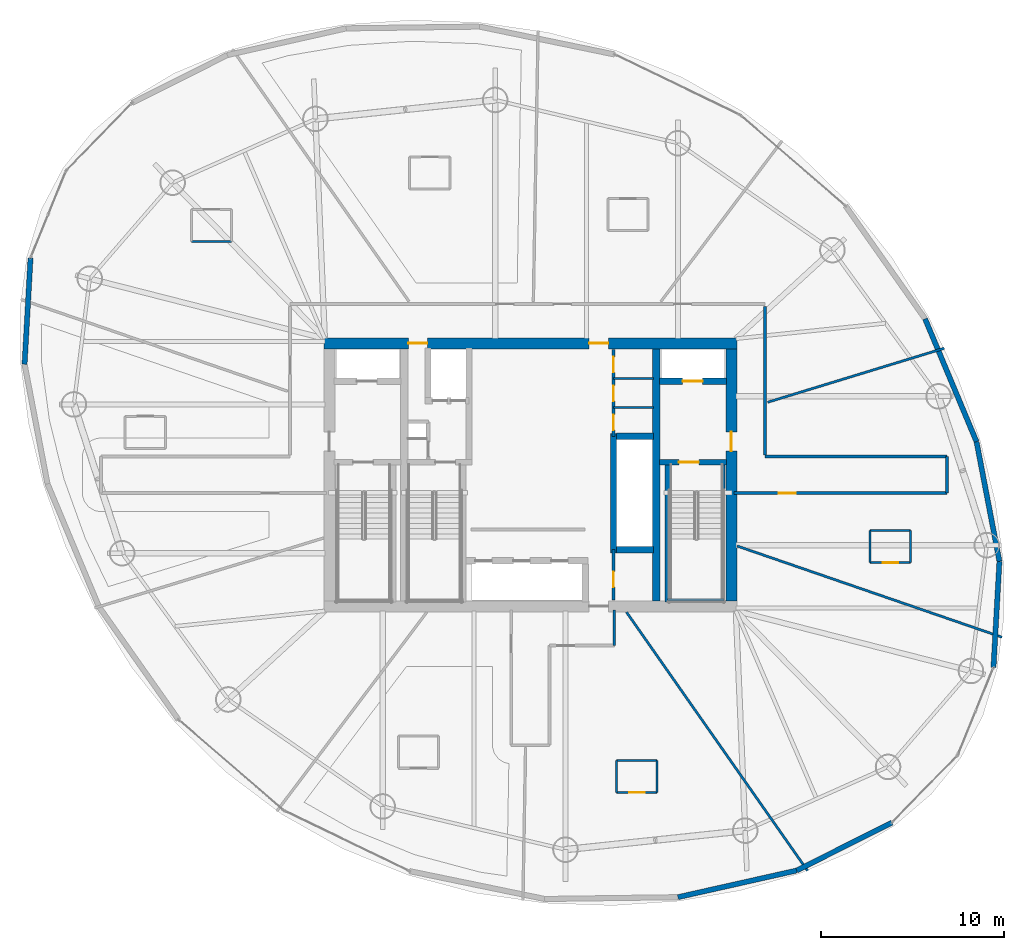
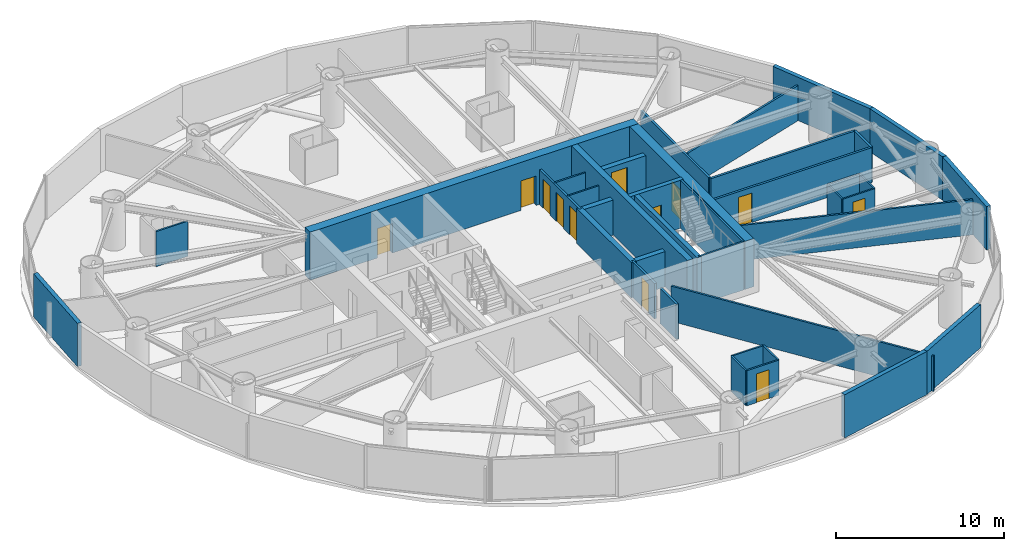
# One storey, part 17 of 21: 38 walls, 12 doors, 12 openings.
"""IFC4 building model written with IfcOpenShell, lengths in metres."""

from ifc_helpers import new_model, si_unit, direction, frame, frame_2d, origin, place, context, subcontext, project, spatial, rectangle, extrude, material, layer, layer_set, type_object, element, fill, save


model = new_model("IFC4")

# Units and contexts
model_context = context("Model", 3, precision=1e-05, world=origin(), true_north=direction((0.0, 1.0)))
body_context = subcontext(model_context, "Body", "Model", "MODEL_VIEW")
ifc_project = project(units=[si_unit("LENGTHUNIT", "METRE"), si_unit("AREAUNIT", "SQUARE_METRE"), si_unit("VOLUMEUNIT", "CUBIC_METRE"), si_unit("PLANEANGLEUNIT", "RADIAN"), si_unit("MASSUNIT", "GRAM", prefix="KILO")], contexts=[model_context])

# Site, building, storey
site_placement = place(None, origin())
site = spatial("IfcSite", under=ifc_project, at=site_placement, CompositionType="ELEMENT")
building_placement = place(site_placement, origin())
building = spatial("IfcBuilding", under=site, at=building_placement, Name="Bramvorn Convention Spire", CompositionType="ELEMENT")
storey_placement = place(building_placement, frame((0.0, 0.0, 162.300048828125)))
storey = spatial("IfcBuildingStorey", under=building, at=storey_placement, Name="L41", CompositionType="ELEMENT", Elevation=162.300048828125)

# Wall, openings, doors
ifc_material_1 = material(Name="Concrete C60/70", Category="concrete")
ifc_layer_1 = layer(ifc_material_1, 0.60009765625)
ifc_layer_set_1 = layer_set([ifc_layer_1], Name="Concrete C60/70 - WL-CORE-600")
wall_type_1 = type_object("IfcWallType", Name="WL-CORE-600", PredefinedType="SHEAR", material=ifc_layer_set_1)
wall_1_placement = place(storey_placement, frame((26.699951171875, 33.199951171875, 0.0), z_axis=(0.0, 0.0, 1.0), x_axis=(1.0, 0.0, 0.0)))
wall_1 = element("IfcWall", 1, at=wall_1_placement, inside=storey, type_object=wall_type_1, Name="L41 North RC core shear wall", PredefinedType="SHEAR", context=body_context, shape_type="SweptSolid", body=[
    extrude(rectangle(XDim=22.60009765625, YDim=0.60009765625, at=frame_2d((11.300048828125, 0.0))), origin(), (0.0, 0.0, 1.0), 3.5),
])
opening_1_placement = place(wall_1_placement, frame((4.6201171875, 0.0, 0.0)))
opening_1 = element("IfcOpeningElement", 2, at=opening_1_placement, cuts=wall_1, Name="Opening DL-105", PredefinedType="OPENING", context=body_context, shape_type="SweptSolid", body=[
    extrude(rectangle(XDim=1.050048828125, YDim=2.14990234375, at=frame_2d((0.52490234375, 1.074951171875))), frame((0.0, 0.31005859375, 0.0), z_axis=(0.0, -1.0, 0.0), x_axis=(1.0, 0.0, 0.0)), (0.0, 0.0, 1.0), 0.6201171875),
])
opening_2_placement = place(wall_1_placement, frame((14.52001953125, 0.0, 0.0)))
opening_2 = element("IfcOpeningElement", 3, at=opening_2_placement, cuts=wall_1, Name="Opening DL-105", PredefinedType="OPENING", context=body_context, shape_type="SweptSolid", body=[
    extrude(rectangle(XDim=1.050048828125, YDim=2.14990234375, at=frame_2d((0.52490234375, 1.074951171875))), frame((0.0, 0.31005859375, 0.0), z_axis=(0.0, -1.0, 0.0), x_axis=(1.0, 0.0, 0.0)), (0.0, 0.0, 1.0), 0.6201171875),
])
ifc_material_2 = material(Name="Smoke-Sealed Fire Lobby Timber-Core Door", Category="wood")
door_type_1 = type_object("IfcDoorType", Name="DR-LOBBY-1050", OperationType="NOTDEFINED", PredefinedType="DOOR", material=ifc_material_2)
door_1_placement = place(opening_1_placement, origin())
door_1 = element("IfcDoor", 4, at=door_1_placement, inside=storey, type_object=door_type_1, Name="L41 Service & Stair ST3 Lobby north corridor door", OperationType="SINGLE_SWING_LEFT", OverallHeight=2.14990234375, OverallWidth=1.050048828125, PredefinedType="DOOR", context=body_context, shape_type="SweptSolid", body=[
    extrude(rectangle(XDim=1.050048828125, YDim=2.14990234375, at=frame_2d((0.52490234375, 1.074951171875))), frame((0.0, 0.02490234375, 0.0), z_axis=(0.0, -1.0, 0.0), x_axis=(1.0, 0.0, 0.0)), (0.0, 0.0, 1.0), 0.050048828125),
])
fill(opening_1, door_1)
door_2_placement = place(opening_2_placement, origin())
door_2 = element("IfcDoor", 5, at=door_2_placement, inside=storey, type_object=door_type_1, Name="L41 North Lift Lobby fire door", OperationType="SINGLE_SWING_LEFT", OverallHeight=2.14990234375, OverallWidth=1.050048828125, PredefinedType="DOOR", context=body_context, shape_type="SweptSolid", body=[
    extrude(rectangle(XDim=1.050048828125, YDim=2.14990234375, at=frame_2d((0.52490234375, 1.074951171875))), frame((0.0, 0.02490234375, 0.0), z_axis=(0.0, -1.0, 0.0), x_axis=(1.0, 0.0, 0.0)), (0.0, 0.0, 1.0), 0.050048828125),
])
fill(opening_2, door_2)

# Wall, opening, door
wall_2_placement = place(storey_placement, frame((49.0, 19.10009765625, 0.0), z_axis=(0.0, 0.0, 1.0), x_axis=(0.0, 1.0, 0.0)))
wall_2 = element("IfcWall", 6, at=wall_2_placement, inside=storey, type_object=wall_type_1, Name="L41 East RC core shear wall", PredefinedType="SHEAR", context=body_context, shape_type="SweptSolid", body=[
    extrude(rectangle(XDim=13.7998046875, YDim=0.60009765625, at=frame_2d((6.89990234375, 0.0))), origin(), (0.0, 0.0, 1.0), 3.5),
])
opening_3_placement = place(wall_2_placement, frame((8.199951171875, 0.0, 0.0)))
opening_3 = element("IfcOpeningElement", 7, at=opening_3_placement, cuts=wall_2, Name="Opening DL-105", PredefinedType="OPENING", context=body_context, shape_type="SweptSolid", body=[
    extrude(rectangle(XDim=1.050048828125, YDim=2.14990234375, at=frame_2d((0.52490234375, 1.074951171875))), frame((0.0, 0.31005859375, 0.0), z_axis=(0.0, -1.0, 0.0), x_axis=(1.0, 0.0, 0.0)), (0.0, 0.0, 1.0), 0.6201171875),
])
door_3_placement = place(opening_3_placement, origin())
door_3 = element("IfcDoor", 8, at=door_3_placement, inside=storey, type_object=door_type_1, Name="L41 East Firefighting Lobby corridor door", OperationType="SINGLE_SWING_LEFT", OverallHeight=2.14990234375, OverallWidth=1.050048828125, PredefinedType="DOOR", context=body_context, shape_type="SweptSolid", body=[
    extrude(rectangle(XDim=1.050048828125, YDim=2.14990234375, at=frame_2d((0.52490234375, 1.074951171875))), frame((0.0, 0.02490234375, 0.0), z_axis=(0.0, -1.0, 0.0), x_axis=(1.0, 0.0, 0.0)), (0.0, 0.0, 1.0), 0.050048828125),
])
fill(opening_3, door_3)

ifc_material_3 = material(Name="Concrete C50/60", Category="concrete")
ifc_layer_2 = layer(ifc_material_3, 0.35009765625)
ifc_layer_set_2 = layer_set([ifc_layer_2], Name="Concrete C50/60 - WL-CORE-INT-350")
wall_type_2 = type_object("IfcWallType", Name="WL-CORE-INT-350", PredefinedType="SHEAR", material=ifc_layer_set_2)
wall_3_placement = place(storey_placement, frame((45.080078125, 31.1201171875, 0.0), z_axis=(0.0, 0.0, 1.0), x_axis=(1.0, 0.0, 0.0)))
wall_3 = element("IfcWall", 9, at=wall_3_placement, inside=storey, type_object=wall_type_2, Name="L41 FE2 shaft front wall", PredefinedType="SHEAR", context=body_context, shape_type="SweptSolid", body=[
    extrude(rectangle(XDim=3.669921875, YDim=0.35009765625, at=frame_2d((1.8349609375, 0.0))), origin(), (0.0, 0.0, 1.0), 2.56494140625),
])
opening_4_placement = place(wall_3_placement, frame((1.25, 0.0, 0.0)))
opening_4 = element("IfcOpeningElement", 10, at=opening_4_placement, cuts=wall_3, Name="Opening LD-110", PredefinedType="OPENING", context=body_context, shape_type="SweptSolid", body=[
    extrude(rectangle(XDim=1.10009765625, YDim=2.14990234375, at=frame_2d((0.550048828125, 1.074951171875))), frame((0.0, 0.18505859375, 0.0), z_axis=(0.0, -1.0, 0.0), x_axis=(1.0, 0.0, 0.0)), (0.0, 0.0, 1.0), 0.3701171875),
])
ifc_material_4 = material(Name="Firefighting & Service Lift Sliding Landing Door", Category="steel")
door_type_2 = type_object("IfcDoorType", Name="DR-LIFT-LD-1100", OperationType="NOTDEFINED", PredefinedType="DOOR", material=ifc_material_4)
door_4_placement = place(opening_4_placement, origin())
door_4 = element("IfcDoor", 11, at=door_4_placement, inside=storey, type_object=door_type_2, Name="L41 Lift FE2 Sliding Landing Door", OperationType="SLIDING_TO_LEFT", OverallHeight=2.14990234375, OverallWidth=1.10009765625, PredefinedType="DOOR", context=body_context, shape_type="SweptSolid", body=[
    extrude(rectangle(XDim=1.10009765625, YDim=2.14990234375, at=frame_2d((0.550048828125, 1.074951171875))), frame((0.0, 0.02490234375, 0.0), z_axis=(0.0, -1.0, 0.0), x_axis=(1.0, 0.0, 0.0)), (0.0, 0.0, 1.0), 0.050048828125),
])
fill(opening_4, door_4)

# Walls
wall_4_placement = place(storey_placement, frame((42.550048828125, 21.72998046875, 0.0), z_axis=(0.0, 0.0, 1.0), x_axis=(0.0, 1.0, 0.0)))
element("IfcWall", 12, at=wall_4_placement, inside=storey, type_object=wall_type_2, Name="L41 High-rise lift bank west wall", PredefinedType="SHEAR", context=body_context, shape_type="SweptSolid", body=[
    extrude(rectangle(XDim=6.5400390625, YDim=0.35009765625, at=frame_2d((3.27001953125, 0.0))), origin(), (0.0, 0.0, 1.0), 2.56494140625),
])
for number, where, z_axis, x_axis, name in (
    (13, (42.719970703125, 21.89990234375, 0.0), (0.0, 0.0, 1.0), (1.0, 0.0, 0.0), "L41 High-rise lift bank south wall"),
    (14, (42.719970703125, 28.10009765625, 0.0), (0.0, 0.0, 1.0), (1.0, 0.0, 0.0), "L41 High-rise lift bank north wall"),
):
    element("IfcWall", number, at=place(storey_placement, frame(where, z_axis=z_axis, x_axis=x_axis)), inside=storey, type_object=wall_type_2, Name=name, PredefinedType="SHEAR", context=body_context, shape_type="SweptSolid", body=[
        extrude(rectangle(XDim=2.030029296875, YDim=0.35009765625, at=frame_2d((1.01513671875, 0.0))), origin(), (0.0, 0.0, 1.0), 2.56494140625),
    ])
ifc_layer_3 = layer(ifc_material_1, 0.39990234375)
ifc_layer_set_3 = layer_set([ifc_layer_3], Name="Concrete C60/70 - WL-CORE-INT-400")
wall_type_3 = type_object("IfcWallType", Name="WL-CORE-INT-400", PredefinedType="SHEAR", material=ifc_layer_set_3)
wall_5_placement = place(storey_placement, frame((44.89990234375, 19.10009765625, 0.0), z_axis=(0.0, 0.0, 1.0), x_axis=(0.0, 1.0, 0.0)))
element("IfcWall", 15, at=wall_5_placement, inside=storey, type_object=wall_type_3, Name="L41 East internal core shear web", PredefinedType="SHEAR", context=body_context, shape_type="SweptSolid", body=[
    extrude(rectangle(XDim=13.7998046875, YDim=0.39990234375, at=frame_2d((6.89990234375, 0.0))), origin(), (0.0, 0.0, 1.0), 3.5),
])
ifc_material_5 = material(Name="Precast Concrete C40/50 with Bronze Terracotta Rainscreen", Category="masonry")
ifc_layer_4 = layer(ifc_material_5, 0.300048828125)
ifc_layer_set_4 = layer_set([ifc_layer_4], Name="Precast Concrete C40/50 with Bronze Terracotta Rainscreen - WL-EXT-BRONZE-300")
wall_type_4 = type_object("IfcWallType", Name="WL-EXT-BRONZE-300", PredefinedType="SOLIDWALL", material=ifc_layer_set_4)
wall_6_placement = place(storey_placement, frame((63.677734375, 21.26416015625, 0.0), z_axis=(0.0, 0.0, 1.0), x_axis=(-0.055932126185, -0.99843457335, 0.0)))
element("IfcWall", 16, at=wall_6_placement, inside=storey, type_object=wall_type_4, Name="L41 expressed bronze Gothic lancet pier wall 02", PredefinedType="SOLIDWALL", context=body_context, shape_type="SweptSolid", body=[
    extrude(rectangle(XDim=5.82275390625, YDim=0.280029296875, at=frame_2d((2.911376953125, 0.0))), origin(), (0.0, 0.0, 1.0), 3.14990234375),
])
wall_7_placement = place(storey_placement, frame((62.424560546875, 27.810302734375, 0.0), z_axis=(0.0, 0.0, 1.0), x_axis=(0.188022651866, -0.982164692088, 0.0)))
element("IfcWall", 17, at=wall_7_placement, inside=storey, type_object=wall_type_4, Name="L41 expressed bronze Gothic lancet pier wall 03", PredefinedType="SOLIDWALL", context=body_context, shape_type="SweptSolid", body=[
    extrude(rectangle(XDim=6.6650390625, YDim=0.280029296875, at=frame_2d((3.33251953125, 0.0))), origin(), (0.0, 0.0, 1.0), 3.14990234375),
])
wall_8_placement = place(storey_placement, frame((59.60791015625, 34.5361328125, 0.0), z_axis=(0.0, 0.0, 1.0), x_axis=(0.3862765553, -0.922383013084, 0.0)))
element("IfcWall", 18, at=wall_8_placement, inside=storey, type_object=wall_type_4, Name="L41 expressed bronze Gothic lancet pier wall 04", PredefinedType="SOLIDWALL", context=body_context, shape_type="SweptSolid", body=[
    extrude(rectangle(XDim=7.291748046875, YDim=0.280029296875, at=frame_2d((3.64599609375, 0.0))), origin(), (0.0, 0.0, 1.0), 3.14990234375),
])
wall_9_placement = place(storey_placement, frame((10.315185546875, 32.0517578125, 0.0), z_axis=(0.0, 0.0, 1.0), x_axis=(0.055932126185, 0.99843457335, 0.0)))
element("IfcWall", 19, at=wall_9_placement, inside=storey, type_object=wall_type_4, Name="L41 expressed bronze Gothic lancet pier wall 14", PredefinedType="SOLIDWALL", context=body_context, shape_type="SweptSolid", body=[
    extrude(rectangle(XDim=5.82275390625, YDim=0.280029296875, at=frame_2d((2.911376953125, 0.0))), origin(), (0.0, 0.0, 1.0), 3.14990234375),
])
wall_10_placement = place(storey_placement, frame((52.58203125, 4.34033203125, 0.0), z_axis=(0.0, 0.0, 1.0), x_axis=(-0.975681090839, -0.219194910932, 0.0)))
element("IfcWall", 20, at=wall_10_placement, inside=storey, type_object=wall_type_4, Name="L41 expressed bronze Gothic lancet pier wall 22", PredefinedType="SOLIDWALL", context=body_context, shape_type="SweptSolid", body=[
    extrude(rectangle(XDim=6.6650390625, YDim=0.280029296875, at=frame_2d((3.33251953125, 0.0))), origin(), (0.0, 0.0, 1.0), 3.14990234375),
])
wall_11_placement = place(storey_placement, frame((57.78369140625, 6.957275390625, 0.0), z_axis=(0.0, 0.0, 1.0), x_axis=(-0.893317552625, -0.449426023026, 0.0)))
element("IfcWall", 21, at=wall_11_placement, inside=storey, type_object=wall_type_4, Name="L41 expressed bronze Gothic lancet pier wall 23", PredefinedType="SOLIDWALL", context=body_context, shape_type="SweptSolid", body=[
    extrude(rectangle(XDim=5.82275390625, YDim=0.280029296875, at=frame_2d((2.911376953125, 0.0))), origin(), (0.0, 0.0, 1.0), 3.14990234375),
])
ifc_material_6 = material(Name="Lightweight En-Suite & Wet-Wall Partition", Category="gypsum")
ifc_layer_5 = layer(ifc_material_6, 0.110107421875)
ifc_layer_set_5 = layer_set([ifc_layer_5], Name="Lightweight En-Suite & Wet-Wall Partition - WL-PART-110")
wall_type_5 = type_object("IfcWallType", Name="WL-PART-110", PredefinedType="PARTITIONING", material=ifc_layer_set_5)
for number, where, z_axis, x_axis, name in (
    (22, (42.550048828125, 29.679931640625, 0.0), (0.0, 0.0, 1.0), (1.0, 0.0, 0.0), "L41 KC NE div 1"),
    (23, (42.550048828125, 31.260009765625, 0.0), (0.0, 0.0, 1.0), (1.0, 0.0, 0.0), "L41 KC NE div 2"),
    (24, (19.44384765625, 38.761474609375, 0.0), (0.0, 0.0, 1.0), (1.0, 0.0, 0.0), "Hotel Suite 4104 en-suite south wall"),
):
    element("IfcWall", number, at=place(storey_placement, frame(where, z_axis=z_axis, x_axis=x_axis)), inside=storey, type_object=wall_type_5, Name=name, PredefinedType="PARTITIONING", context=body_context, shape_type="SweptSolid", body=[
        extrude(rectangle(XDim=2.199951171875, YDim=0.110107421875, at=frame_2d((1.10009765625, 0.0))), origin(), (0.0, 0.0, 1.0), 2.56494140625),
    ])

# Wall, opening, door
wall_12_placement = place(storey_placement, frame((42.722900390625, 8.61181640625, 0.0), z_axis=(0.0, 0.0, 1.0), x_axis=(1.0, 0.0, 0.0)))
wall_12 = element("IfcWall", 25, at=wall_12_placement, inside=storey, type_object=wall_type_5, Name="Hotel Suite 4108 en-suite south wall", PredefinedType="PARTITIONING", context=body_context, shape_type="SweptSolid", body=[
    extrude(rectangle(XDim=2.199951171875, YDim=0.110107421875, at=frame_2d((1.10009765625, 0.0))), origin(), (0.0, 0.0, 1.0), 2.56494140625),
])
opening_5_placement = place(wall_12_placement, frame((0.679931640625, 0.0, 0.0)))
opening_5 = element("IfcOpeningElement", 26, at=opening_5_placement, cuts=wall_12, Name="Opening DI-085", PredefinedType="OPENING", context=body_context, shape_type="SweptSolid", body=[
    extrude(rectangle(XDim=0.85009765625, YDim=2.10009765625, at=frame_2d((0.425048828125, 1.050048828125))), frame((0.0, 0.06494140625, 0.0), z_axis=(0.0, -1.0, 0.0), x_axis=(1.0, 0.0, 0.0)), (0.0, 0.0, 1.0), 0.130126953125),
])
ifc_material_7 = material(Name="En-Suite & Restroom Privacy Door", Category="wood")
door_type_3 = type_object("IfcDoorType", Name="DR-INT-850", OperationType="NOTDEFINED", PredefinedType="DOOR", material=ifc_material_7)
door_5_placement = place(opening_5_placement, origin())
door_5 = element("IfcDoor", 27, at=door_5_placement, inside=storey, type_object=door_type_3, Name="Hotel Suite 4108 En-Suite Bathroom door", OperationType="SINGLE_SWING_LEFT", OverallHeight=2.10009765625, OverallWidth=0.85009765625, PredefinedType="DOOR", context=body_context, shape_type="SweptSolid", body=[
    extrude(rectangle(XDim=0.85009765625, YDim=2.10009765625, at=frame_2d((0.425048828125, 1.050048828125))), frame((0.0, 0.02490234375, 0.0), z_axis=(0.0, -1.0, 0.0), x_axis=(1.0, 0.0, 0.0)), (0.0, 0.0, 1.0), 0.050048828125),
])
fill(opening_5, door_5)

# Walls
wall_13_placement = place(storey_placement, frame((42.722900390625, 10.371826171875, 0.0), z_axis=(0.0, 0.0, 1.0), x_axis=(1.0, 0.0, 0.0)))
element("IfcWall", 28, at=wall_13_placement, inside=storey, type_object=wall_type_5, Name="Hotel Suite 4108 en-suite north wall", PredefinedType="PARTITIONING", context=body_context, shape_type="SweptSolid", body=[
    extrude(rectangle(XDim=2.199951171875, YDim=0.110107421875, at=frame_2d((1.10009765625, 0.0))), origin(), (0.0, 0.0, 1.0), 2.56494140625),
])
for number, where, z_axis, x_axis, name in (
    (29, (42.722900390625, 8.61181640625, 0.0), (0.0, 0.0, 1.0), (0.0, 1.0, 0.0), "Hotel Suite 4108 en-suite west wall"),
    (30, (44.9228515625, 8.61181640625, 0.0), (0.0, 0.0, 1.0), (0.0, 1.0, 0.0), "Hotel Suite 4108 en-suite east wall"),
):
    element("IfcWall", number, at=place(storey_placement, frame(where, z_axis=z_axis, x_axis=x_axis)), inside=storey, type_object=wall_type_5, Name=name, PredefinedType="PARTITIONING", context=body_context, shape_type="SweptSolid", body=[
        extrude(rectangle(XDim=1.760009765625, YDim=0.110107421875, at=frame_2d((0.8798828125, 0.0))), origin(), (0.0, 0.0, 1.0), 2.56494140625),
    ])

# Wall, opening, door
wall_14_placement = place(storey_placement, frame((56.606201171875, 21.192138671875, 0.0), z_axis=(0.0, 0.0, 1.0), x_axis=(1.0, 0.0, 0.0)))
wall_14 = element("IfcWall", 31, at=wall_14_placement, inside=storey, type_object=wall_type_5, Name="Hotel Suite 4110 en-suite south wall", PredefinedType="PARTITIONING", context=body_context, shape_type="SweptSolid", body=[
    extrude(rectangle(XDim=2.199951171875, YDim=0.110107421875, at=frame_2d((1.10009765625, 0.0))), origin(), (0.0, 0.0, 1.0), 2.56494140625),
])
opening_6_placement = place(wall_14_placement, frame((0.679931640625, 0.0, 0.0)))
opening_6 = element("IfcOpeningElement", 32, at=opening_6_placement, cuts=wall_14, Name="Opening DI-085", PredefinedType="OPENING", context=body_context, shape_type="SweptSolid", body=[
    extrude(rectangle(XDim=0.85009765625, YDim=2.10009765625, at=frame_2d((0.425048828125, 1.050048828125))), frame((0.0, 0.06494140625, 0.0), z_axis=(0.0, -1.0, 0.0), x_axis=(1.0, 0.0, 0.0)), (0.0, 0.0, 1.0), 0.130126953125),
])
door_6_placement = place(opening_6_placement, origin())
door_6 = element("IfcDoor", 33, at=door_6_placement, inside=storey, type_object=door_type_3, Name="Hotel Suite 4110 En-Suite Bathroom door", OperationType="SINGLE_SWING_LEFT", OverallHeight=2.10009765625, OverallWidth=0.85009765625, PredefinedType="DOOR", context=body_context, shape_type="SweptSolid", body=[
    extrude(rectangle(XDim=0.85009765625, YDim=2.10009765625, at=frame_2d((0.425048828125, 1.050048828125))), frame((0.0, 0.02490234375, 0.0), z_axis=(0.0, -1.0, 0.0), x_axis=(1.0, 0.0, 0.0)), (0.0, 0.0, 1.0), 0.050048828125),
])
fill(opening_6, door_6)

# Walls
wall_15_placement = place(storey_placement, frame((56.606201171875, 22.9521484375, 0.0), z_axis=(0.0, 0.0, 1.0), x_axis=(1.0, 0.0, 0.0)))
element("IfcWall", 34, at=wall_15_placement, inside=storey, type_object=wall_type_5, Name="Hotel Suite 4110 en-suite north wall", PredefinedType="PARTITIONING", context=body_context, shape_type="SweptSolid", body=[
    extrude(rectangle(XDim=2.199951171875, YDim=0.110107421875, at=frame_2d((1.10009765625, 0.0))), origin(), (0.0, 0.0, 1.0), 2.56494140625),
])
for number, where, z_axis, x_axis, name in (
    (35, (56.606201171875, 21.192138671875, 0.0), (0.0, 0.0, 1.0), (0.0, 1.0, 0.0), "Hotel Suite 4110 en-suite west wall"),
    (36, (58.80615234375, 21.192138671875, 0.0), (0.0, 0.0, 1.0), (0.0, 1.0, 0.0), "Hotel Suite 4110 en-suite east wall"),
):
    element("IfcWall", number, at=place(storey_placement, frame(where, z_axis=z_axis, x_axis=x_axis)), inside=storey, type_object=wall_type_5, Name=name, PredefinedType="PARTITIONING", context=body_context, shape_type="SweptSolid", body=[
        extrude(rectangle(XDim=1.760009765625, YDim=0.110107421875, at=frame_2d((0.8798828125, 0.0))), origin(), (0.0, 0.0, 1.0), 2.56494140625),
    ])
ifc_material_8 = material(Name="Metal-Stud Demountable Office Partition", Category="gypsum")
ifc_layer_6 = layer(ifc_material_8, 0.1298828125)
ifc_layer_set_6 = layer_set([ifc_layer_6], Name="Metal-Stud Demountable Office Partition - WL-PART-130")
wall_type_6 = type_object("IfcWallType", Name="WL-PART-130", PredefinedType="PARTITIONING", material=ifc_layer_set_6)
wall_16_placement = place(storey_placement, frame((50.989990234375, 29.971435546875, 0.0), z_axis=(0.0, 0.0, 1.0), x_axis=(0.956308272005, 0.29236020402, 0.0)))
element("IfcWall", 37, at=wall_16_placement, inside=storey, type_object=wall_type_6, Name="L41 Guestroom demising wall 1", PredefinedType="PARTITIONING", context=body_context, shape_type="SweptSolid", body=[
    extrude(rectangle(XDim=10.113525390625, YDim=0.1298828125, at=frame_2d((5.056640625, 0.0))), origin(), (0.0, 0.0, 1.0), 2.56494140625),
])
wall_17_placement = place(storey_placement, frame((43.265625, 18.47998046875, 0.0), z_axis=(0.0, 0.0, 1.0), x_axis=(0.57357232701, -0.819154921665, 0.0)))
element("IfcWall", 38, at=wall_17_placement, inside=storey, type_object=wall_type_6, Name="L41 Guestroom demising wall 9", PredefinedType="PARTITIONING", context=body_context, shape_type="SweptSolid", body=[
    extrude(rectangle(XDim=17.281005859375, YDim=0.1298828125, at=frame_2d((8.640625, 0.0))), origin(), (0.0, 0.0, 1.0), 2.56494140625),
])
wall_18_placement = place(storey_placement, frame((49.320068359375, 22.102294921875, 0.0), z_axis=(0.0, 0.0, 1.0), x_axis=(0.945519103615, -0.325566620984, 0.0)))
element("IfcWall", 39, at=wall_18_placement, inside=storey, type_object=wall_type_6, Name="L41 Guestroom demising wall 10", PredefinedType="PARTITIONING", context=body_context, shape_type="SweptSolid", body=[
    extrude(rectangle(XDim=15.330810546875, YDim=0.1298828125, at=frame_2d((7.66552734375, 0.0))), origin(), (0.0, 0.0, 1.0), 2.56494140625),
])

# Wall, openings, doors
ifc_material_9 = material(Name="Acoustic Metal-Stud Tenant/Corridor Partition", Category="gypsum")
ifc_layer_7 = layer(ifc_material_9, 0.14990234375)
ifc_layer_set_7 = layer_set([ifc_layer_7], Name="Acoustic Metal-Stud Tenant/Corridor Partition - WL-PART-150")
wall_type_7 = type_object("IfcWallType", Name="WL-PART-150", PredefinedType="PARTITIONING", material=ifc_layer_set_7)
wall_19_placement = place(storey_placement, frame((42.550048828125, 28.10009765625, 0.0), z_axis=(0.0, 0.0, 1.0), x_axis=(0.0, 1.0, 0.0)))
wall_19 = element("IfcWall", 40, at=wall_19_placement, inside=storey, type_object=wall_type_7, Name="L41 KC NE wall", PredefinedType="PARTITIONING", context=body_context, shape_type="SweptSolid", body=[
    extrude(rectangle(XDim=4.75, YDim=0.14990234375, at=frame_2d((2.375, 0.0))), origin(), (0.0, 0.0, 1.0), 2.56494140625),
])
opening_7_placement = place(wall_19_placement, frame((0.35009765625, 0.0, 0.0)))
opening_7 = element("IfcOpeningElement", 41, at=opening_7_placement, cuts=wall_19, Name="Opening DC-085", PredefinedType="OPENING", context=body_context, shape_type="SweptSolid", body=[
    extrude(rectangle(XDim=0.85009765625, YDim=2.10009765625, at=frame_2d((0.425048828125, 1.050048828125))), frame((0.0, 0.0849609375, 0.0), z_axis=(0.0, -1.0, 0.0), x_axis=(1.0, 0.0, 0.0)), (0.0, 0.0, 1.0), 0.169921875),
])
opening_8_placement = place(wall_19_placement, frame((1.929931640625, 0.0, 0.0)))
opening_8 = element("IfcOpeningElement", 42, at=opening_8_placement, cuts=wall_19, Name="Opening DC-085", PredefinedType="OPENING", context=body_context, shape_type="SweptSolid", body=[
    extrude(rectangle(XDim=0.85009765625, YDim=2.10009765625, at=frame_2d((0.425048828125, 1.050048828125))), frame((0.0, 0.0849609375, 0.0), z_axis=(0.0, -1.0, 0.0), x_axis=(1.0, 0.0, 0.0)), (0.0, 0.0, 1.0), 0.169921875),
])
opening_9_placement = place(wall_19_placement, frame((3.510009765625, 0.0, 0.0)))
opening_9 = element("IfcOpeningElement", 43, at=opening_9_placement, cuts=wall_19, Name="Opening DC-085", PredefinedType="OPENING", context=body_context, shape_type="SweptSolid", body=[
    extrude(rectangle(XDim=0.85009765625, YDim=2.10009765625, at=frame_2d((0.425048828125, 1.050048828125))), frame((0.0, 0.0849609375, 0.0), z_axis=(0.0, -1.0, 0.0), x_axis=(1.0, 0.0, 0.0)), (0.0, 0.0, 1.0), 0.169921875),
])
ifc_material_10 = material(Name="Fire-Rated Core Washroom & IDF Door", Category="wood")
door_type_4 = type_object("IfcDoorType", Name="DR-CORE-850", OperationType="NOTDEFINED", PredefinedType="DOOR", material=ifc_material_10)
door_7_placement = place(opening_7_placement, origin())
door_7 = element("IfcDoor", 44, at=door_7_placement, inside=storey, type_object=door_type_4, Name="L41 Accessible Core Restroom door", OperationType="SINGLE_SWING_LEFT", OverallHeight=2.10009765625, OverallWidth=0.85009765625, PredefinedType="DOOR", context=body_context, shape_type="SweptSolid", body=[
    extrude(rectangle(XDim=0.85009765625, YDim=2.10009765625, at=frame_2d((0.425048828125, 1.050048828125))), frame((0.0, 0.02490234375, 0.0), z_axis=(0.0, -1.0, 0.0), x_axis=(1.0, 0.0, 0.0)), (0.0, 0.0, 1.0), 0.050048828125),
])
fill(opening_7, door_7)
door_8_placement = place(opening_8_placement, origin())
door_8 = element("IfcDoor", 45, at=door_8_placement, inside=storey, type_object=door_type_4, Name="L41 Floor Housekeeping & Linen Store door", OperationType="SINGLE_SWING_LEFT", OverallHeight=2.10009765625, OverallWidth=0.85009765625, PredefinedType="DOOR", context=body_context, shape_type="SweptSolid", body=[
    extrude(rectangle(XDim=0.85009765625, YDim=2.10009765625, at=frame_2d((0.425048828125, 1.050048828125))), frame((0.0, 0.02490234375, 0.0), z_axis=(0.0, -1.0, 0.0), x_axis=(1.0, 0.0, 0.0)), (0.0, 0.0, 1.0), 0.050048828125),
])
fill(opening_8, door_8)
door_9_placement = place(opening_9_placement, origin())
door_9 = element("IfcDoor", 46, at=door_9_placement, inside=storey, type_object=door_type_4, Name="L41 Core Comms Closet door", OperationType="SINGLE_SWING_LEFT", OverallHeight=2.10009765625, OverallWidth=0.85009765625, PredefinedType="DOOR", context=body_context, shape_type="SweptSolid", body=[
    extrude(rectangle(XDim=0.85009765625, YDim=2.10009765625, at=frame_2d((0.425048828125, 1.050048828125))), frame((0.0, 0.02490234375, 0.0), z_axis=(0.0, -1.0, 0.0), x_axis=(1.0, 0.0, 0.0)), (0.0, 0.0, 1.0), 0.050048828125),
])
fill(opening_9, door_9)

# Wall, opening, door
wall_20_placement = place(storey_placement, frame((42.550048828125, 19.14990234375, 0.0), z_axis=(0.0, 0.0, 1.0), x_axis=(0.0, 1.0, 0.0)))
wall_20 = element("IfcWall", 47, at=wall_20_placement, inside=storey, type_object=wall_type_7, Name="L41 KC SE wall", PredefinedType="PARTITIONING", context=body_context, shape_type="SweptSolid", body=[
    extrude(rectangle(XDim=2.75, YDim=0.14990234375, at=frame_2d((1.375, 0.0))), origin(), (0.0, 0.0, 1.0), 2.56494140625),
])
opening_10_placement = place(wall_20_placement, frame((0.699951171875, 0.0, 0.0)))
opening_10 = element("IfcOpeningElement", 48, at=opening_10_placement, cuts=wall_20, Name="Opening DC-085", PredefinedType="OPENING", context=body_context, shape_type="SweptSolid", body=[
    extrude(rectangle(XDim=0.85009765625, YDim=2.10009765625, at=frame_2d((0.425048828125, 1.050048828125))), frame((0.0, 0.0849609375, 0.0), z_axis=(0.0, -1.0, 0.0), x_axis=(1.0, 0.0, 0.0)), (0.0, 0.0, 1.0), 0.169921875),
])
door_10_placement = place(opening_10_placement, origin())
door_10 = element("IfcDoor", 49, at=door_10_placement, inside=storey, type_object=door_type_4, Name="L41 Core Valve & Riser Room door", OperationType="SINGLE_SWING_LEFT", OverallHeight=2.10009765625, OverallWidth=0.85009765625, PredefinedType="DOOR", context=body_context, shape_type="SweptSolid", body=[
    extrude(rectangle(XDim=0.85009765625, YDim=2.10009765625, at=frame_2d((0.425048828125, 1.050048828125))), frame((0.0, 0.02490234375, 0.0), z_axis=(0.0, -1.0, 0.0), x_axis=(1.0, 0.0, 0.0)), (0.0, 0.0, 1.0), 0.050048828125),
])
fill(opening_10, door_10)

# Walls
wall_21_placement = place(storey_placement, frame((50.85009765625, 27.080078125, 0.0), z_axis=(0.0, 0.0, 1.0), x_axis=(0.0, 1.0, 0.0)))
element("IfcWall", 50, at=wall_21_placement, inside=storey, type_object=wall_type_7, Name="L41 NE gallery cheek", PredefinedType="PARTITIONING", context=body_context, shape_type="SweptSolid", body=[
    extrude(rectangle(XDim=8.119873046875, YDim=0.14990234375, at=frame_2d((4.06005859375, 0.0))), origin(), (0.0, 0.0, 1.0), 2.56494140625),
])
wall_22_placement = place(storey_placement, frame((50.85009765625, 27.0, 0.0), z_axis=(0.0, 0.0, 1.0), x_axis=(1.0, 0.0, 0.0)))
element("IfcWall", 51, at=wall_22_placement, inside=storey, type_object=wall_type_7, Name="L41 East wing spine north wall", PredefinedType="PARTITIONING", context=body_context, shape_type="SweptSolid", body=[
    extrude(rectangle(XDim=9.9609375, YDim=0.14990234375, at=frame_2d((4.98046875, 0.0))), origin(), (0.0, 0.0, 1.0), 2.56494140625),
])

# Wall, opening, door
wall_23_placement = place(storey_placement, frame((49.14990234375, 25.0, 0.0), z_axis=(0.0, 0.0, 1.0), x_axis=(1.0, 0.0, 0.0)))
wall_23 = element("IfcWall", 52, at=wall_23_placement, inside=storey, type_object=wall_type_7, Name="L41 East wing spine south wall", PredefinedType="PARTITIONING", context=body_context, shape_type="SweptSolid", body=[
    extrude(rectangle(XDim=11.6611328125, YDim=0.14990234375, at=frame_2d((5.83056640625, 0.0))), origin(), (0.0, 0.0, 1.0), 2.56494140625),
])
opening_11_placement = place(wall_23_placement, frame((2.440185546875, 0.0, 0.0)))
opening_11 = element("IfcOpeningElement", 53, at=opening_11_placement, cuts=wall_23, Name="Opening DH-095", PredefinedType="OPENING", context=body_context, shape_type="SweptSolid", body=[
    extrude(rectangle(XDim=0.949951171875, YDim=2.14990234375, at=frame_2d((0.47509765625, 1.074951171875))), frame((0.0, 0.0849609375, 0.0), z_axis=(0.0, -1.0, 0.0), x_axis=(1.0, 0.0, 0.0)), (0.0, 0.0, 1.0), 0.169921875),
])
ifc_material_11 = material(Name="Solid-Core Acoustic Guestroom Entry Door", Category="wood")
door_type_5 = type_object("IfcDoorType", Name="DR-HOTEL-950", OperationType="NOTDEFINED", PredefinedType="DOOR", material=ifc_material_11)
door_11_placement = place(opening_11_placement, origin())
door_11 = element("IfcDoor", 54, at=door_11_placement, inside=storey, type_object=door_type_5, Name="Hotel Suite 4110 entry door", OperationType="SINGLE_SWING_LEFT", OverallHeight=2.14990234375, OverallWidth=0.949951171875, PredefinedType="DOOR", context=body_context, shape_type="SweptSolid", body=[
    extrude(rectangle(XDim=0.949951171875, YDim=2.14990234375, at=frame_2d((0.47509765625, 1.074951171875))), frame((0.0, 0.02490234375, 0.0), z_axis=(0.0, -1.0, 0.0), x_axis=(1.0, 0.0, 0.0)), (0.0, 0.0, 1.0), 0.050048828125),
])
fill(opening_11, door_11)

# Walls
wall_24_placement = place(storey_placement, frame((60.81103515625, 25.0, 0.0), z_axis=(0.0, 0.0, 1.0), x_axis=(0.0, 1.0, 0.0)))
element("IfcWall", 55, at=wall_24_placement, inside=storey, type_object=wall_type_7, Name="L41 East wing spine end wall", PredefinedType="PARTITIONING", context=body_context, shape_type="SweptSolid", body=[
    extrude(rectangle(XDim=2.0, YDim=0.14990234375, at=frame_2d((1.0, 0.0))), origin(), (0.0, 0.0, 1.0), 2.56494140625),
])
wall_25_placement = place(storey_placement, frame((42.60009765625, 16.64990234375, 0.0), z_axis=(0.0, 0.0, 1.0), x_axis=(0.0, 1.0, 0.0)))
element("IfcWall", 56, at=wall_25_placement, inside=storey, type_object=wall_type_7, Name="L41 South lift lobby east cheek", PredefinedType="PARTITIONING", context=body_context, shape_type="SweptSolid", body=[
    extrude(rectangle(XDim=1.9501953125, YDim=0.14990234375, at=frame_2d((0.97509765625, 0.0))), origin(), (0.0, 0.0, 1.0), 2.56494140625),
])

# Wall, opening, door
ifc_layer_8 = layer(ifc_material_3, 0.300048828125)
ifc_layer_set_8 = layer_set([ifc_layer_8], Name="Concrete C50/60 - WL-POD-STAIR-300")
wall_type_8 = type_object("IfcWallType", Name="WL-POD-STAIR-300", PredefinedType="SHEAR", material=ifc_layer_set_8)
wall_26_placement = place(storey_placement, frame((45.080078125, 26.68994140625, 0.0), z_axis=(0.0, 0.0, 1.0), x_axis=(1.0, 0.0, 0.0)))
wall_26 = element("IfcWall", 57, at=wall_26_placement, inside=storey, type_object=wall_type_8, Name="L41 ST2 north fire wall", PredefinedType="SHEAR", context=body_context, shape_type="SweptSolid", body=[
    extrude(rectangle(XDim=3.669921875, YDim=0.300048828125, at=frame_2d((1.8349609375, 0.0))), origin(), (0.0, 0.0, 1.0), 3.5),
])
opening_12_placement = place(wall_26_placement, frame((1.050048828125, 0.0, 0.0)))
opening_12 = element("IfcOpeningElement", 58, at=opening_12_placement, cuts=wall_26, Name="Opening DS-110", PredefinedType="OPENING", context=body_context, shape_type="SweptSolid", body=[
    extrude(rectangle(XDim=1.10009765625, YDim=2.14990234375, at=frame_2d((0.550048828125, 1.074951171875))), frame((0.0, 0.159912109375, 0.0), z_axis=(0.0, -1.0, 0.0), x_axis=(1.0, 0.0, 0.0)), (0.0, 0.0, 1.0), 0.320068359375),
])
ifc_material_12 = material(Name="Fire-Rated Hollow Steel Stairwell Door", Category="steel")
door_type_6 = type_object("IfcDoorType", Name="DR-STAIR-1100", OperationType="NOTDEFINED", PredefinedType="DOOR", material=ifc_material_12)
door_12_placement = place(opening_12_placement, origin())
door_12 = element("IfcDoor", 59, at=door_12_placement, inside=storey, type_object=door_type_6, Name="L41 Stair ST2 fire door", OperationType="SINGLE_SWING_RIGHT", OverallHeight=2.14990234375, OverallWidth=1.10009765625, PredefinedType="DOOR", context=body_context, shape_type="SweptSolid", body=[
    extrude(rectangle(XDim=1.10009765625, YDim=2.14990234375, at=frame_2d((0.550048828125, 1.074951171875))), frame((0.0, 0.02490234375, 0.0), z_axis=(0.0, -1.0, 0.0), x_axis=(1.0, 0.0, 0.0)), (0.0, 0.0, 1.0), 0.050048828125),
])
fill(opening_12, door_12)

# Walls
wall_27_placement = place(storey_placement, frame((45.510009765625, 19.050048828125, 0.0), z_axis=(0.0, 0.0, 1.0), x_axis=(0.0, 1.0, 0.0)))
element("IfcWall", 60, at=wall_27_placement, inside=storey, type_object=wall_type_8, Name="L41 ST2 west bearing wall", PredefinedType="SHEAR", context=body_context, shape_type="SweptSolid", body=[
    extrude(rectangle(XDim=7.5, YDim=0.300048828125, at=frame_2d((3.75, 0.0))), origin(), (0.0, 0.0, 1.0), 3.5),
])
ifc_layer_9 = layer(ifc_material_3, 0.1201171875)
ifc_layer_set_9 = layer_set([ifc_layer_9], Name="Concrete C50/60 - WL-STAIR-RC-120")
wall_type_9 = type_object("IfcWallType", Name="WL-STAIR-RC-120", PredefinedType="SHEAR", material=ifc_layer_set_9)
wall_28_placement = place(storey_placement, frame((48.60498046875, 19.10009765625, 0.0), z_axis=(0.0, 0.0, 1.0), x_axis=(0.0, 1.0, 0.0)))
element("IfcWall", 61, at=wall_28_placement, inside=storey, type_object=wall_type_9, Name="L41 ST2 east bearing shear wall", PredefinedType="SHEAR", context=body_context, shape_type="SweptSolid", body=[
    extrude(rectangle(XDim=7.449951171875, YDim=0.1201171875, at=frame_2d((3.72509765625, 0.0))), origin(), (0.0, 0.0, 1.0), 3.5),
])
wall_29_placement = place(storey_placement, frame((45.510009765625, 19.159912109375, 0.0), z_axis=(0.0, 0.0, 1.0), x_axis=(1.0, 0.0, 0.0)))
element("IfcWall", 62, at=wall_29_placement, inside=storey, type_object=wall_type_9, Name="L41 ST2 south bearing shear wall", PredefinedType="SHEAR", context=body_context, shape_type="SweptSolid", body=[
    extrude(rectangle(XDim=3.094970703125, YDim=0.1201171875, at=frame_2d((1.54736328125, 0.0))), origin(), (0.0, 0.0, 1.0), 3.5),
])

save(model, "model.ifc")
